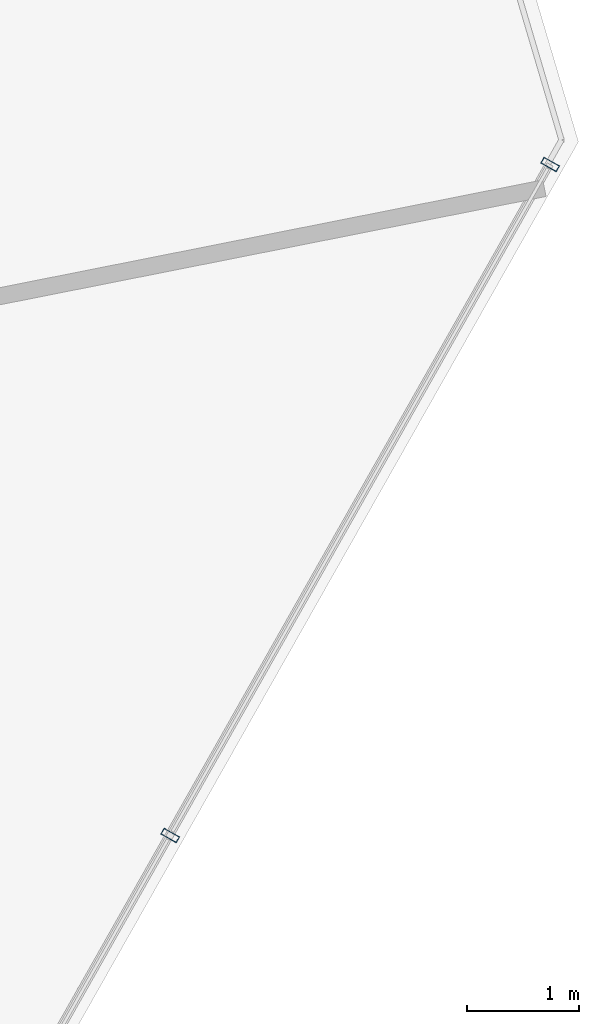
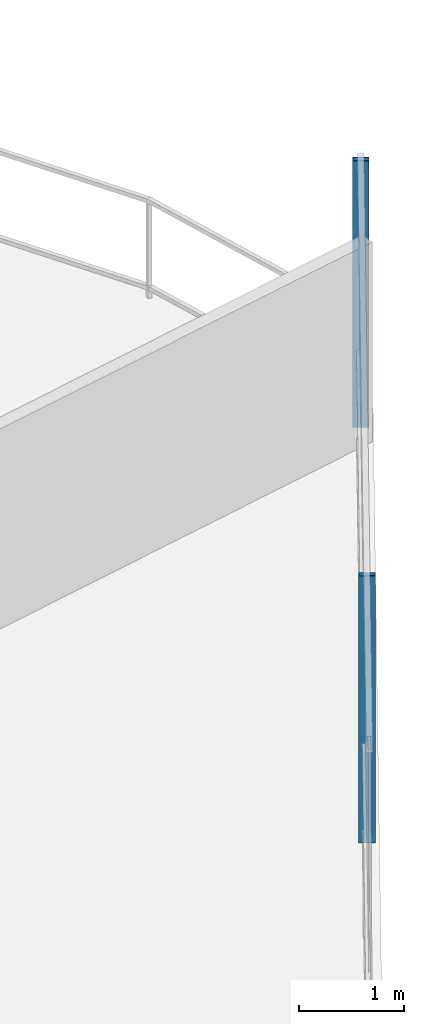
# One storey, part 15 of 31: 2 members, 1 element without a shape of its own.
"""IFC4 building model written with IfcOpenShell, lengths in metres."""

from ifc_helpers import new_model, si_unit, direction, frame, origin, origin_2d, place, context, subcontext, project, spatial, hollow_rectangle, extrude, material, layer, layer_set, material_profile, profile_set, type_object, element, aggregate, save


model = new_model("IFC4")

# Units and contexts
model_context = context("Model", 3, precision=1e-05, world=origin(), true_north=direction((0.0, 1.0)))
body_context = subcontext(model_context, "Body", "Model", "MODEL_VIEW")
ifc_project = project(units=[si_unit("LENGTHUNIT", "METRE"), si_unit("AREAUNIT", "SQUARE_METRE"), si_unit("VOLUMEUNIT", "CUBIC_METRE"), si_unit("PLANEANGLEUNIT", "RADIAN"), si_unit("MASSUNIT", "GRAM", prefix="KILO")], contexts=[model_context])

# Site, building, storey
site_placement = place(None, origin())
site = spatial("IfcSite", under=ifc_project, at=site_placement, CompositionType="ELEMENT")
building_placement = place(site_placement, origin())
building = spatial("IfcBuilding", under=site, at=building_placement, Name="Qarnah Convention Tower", CompositionType="ELEMENT")
storey_placement = place(building_placement, frame((0.0, 0.0, 68.39990234375)))
storey = spatial("IfcBuildingStorey", under=building, at=storey_placement, Name="L17", CompositionType="ELEMENT", Elevation=68.39990234375)

# Curtain wall, members
ifc_material_1 = material(Name="Tempered Low-E dark glass", Category="glass")
ifc_layer = layer(ifc_material_1, 0.16796875)
ifc_layer_set = layer_set([ifc_layer], Name="Tempered Low-E dark glass")
curtain_wall_type = type_object("IfcCurtainWallType", Name="CWS-01", PredefinedType="NOTDEFINED", material=ifc_layer_set)
curtain_wall_placement = place(storey_placement, origin())
curtain_wall = element("IfcCurtainWall", 1, at=curtain_wall_placement, inside=storey, type_object=curtain_wall_type, Name="L17 unitised curtain wall CW-L17-F1", PredefinedType="NOTDEFINED")
ifc_material_2 = material(Name="Black anodised aluminium", Category="aluminium")
ifc_material_profile = material_profile(ifc_material_2, hollow_rectangle(XDim=0.06005859375, YDim=0.159912109375, WallThickness=0.00390625, at=origin_2d()), Name="MUL-60X160")
ifc_profile_set = profile_set([ifc_material_profile], Name="Black anodised aluminium")
member_type = type_object("IfcMemberType", Name="MUL-T1", PredefinedType="MULLION", material=ifc_profile_set)
member_1_placement = place(storey_placement, frame((62.75390625, 31.843017578125, 0.0), z_axis=(0.0, 0.0, 1.0), x_axis=(-0.4927413748, -0.87017580842, 0.0)))
member_1 = element("IfcMember", 2, at=member_1_placement, type_object=member_type, Name="CW-L17-F1 mullion 1", PredefinedType="MULLION", context=body_context, shape_type="SweptSolid", body=[
    extrude(hollow_rectangle(XDim=0.06005859375, YDim=0.159912109375, WallThickness=0.00390625, at=origin_2d()), origin(), (0.0, 0.0, 1.0), 3.090087890625),
])
member_2_placement = place(storey_placement, frame((59.370361328125, 25.86767578125, 0.0), z_axis=(0.0, 0.0, 1.0), x_axis=(-0.4927413748, -0.87017580842, 0.0)))
member_2 = element("IfcMember", 3, at=member_2_placement, type_object=member_type, Name="CW-L17-F1 mullion 2", PredefinedType="MULLION", context=body_context, shape_type="SweptSolid", body=[
    extrude(hollow_rectangle(XDim=0.06005859375, YDim=0.159912109375, WallThickness=0.00390625, at=origin_2d()), origin(), (0.0, 0.0, 1.0), 3.090087890625),
])
aggregate(curtain_wall, [member_1, member_2])

save(model, "model.ifc")
